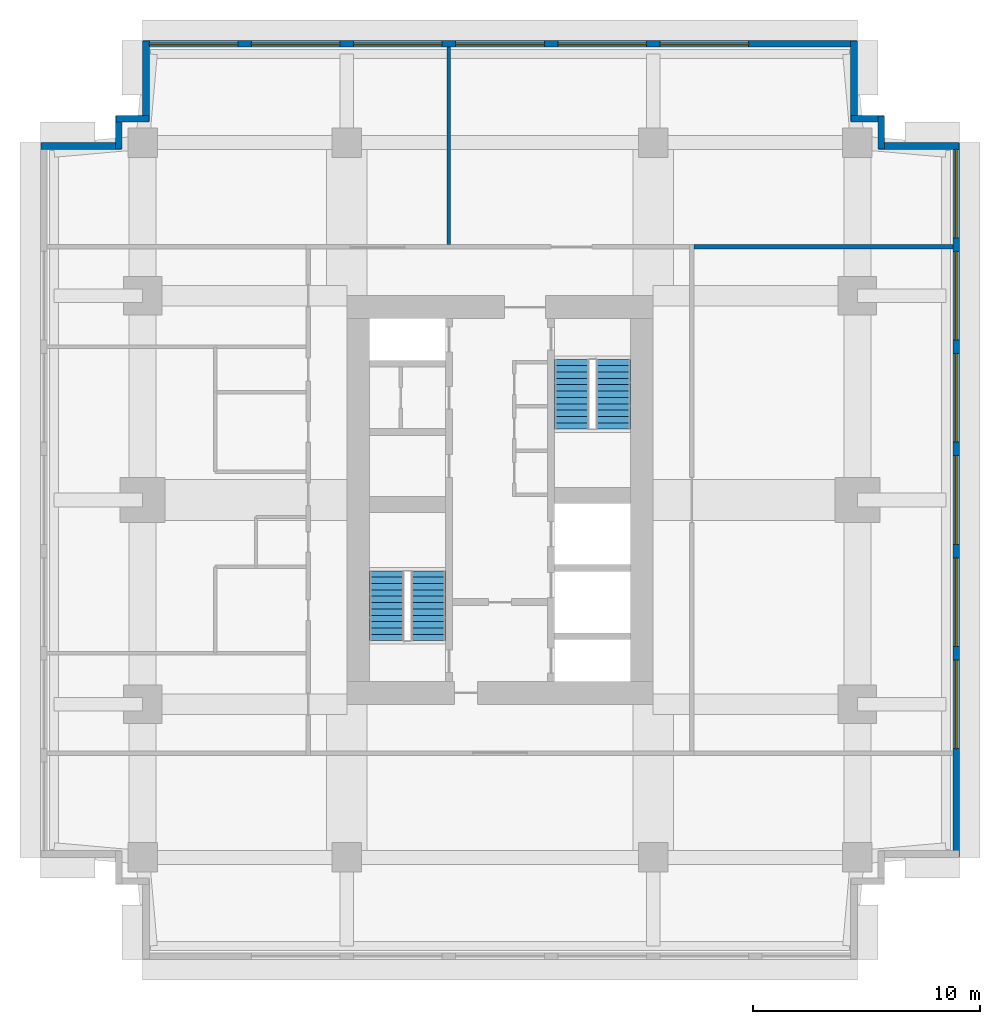
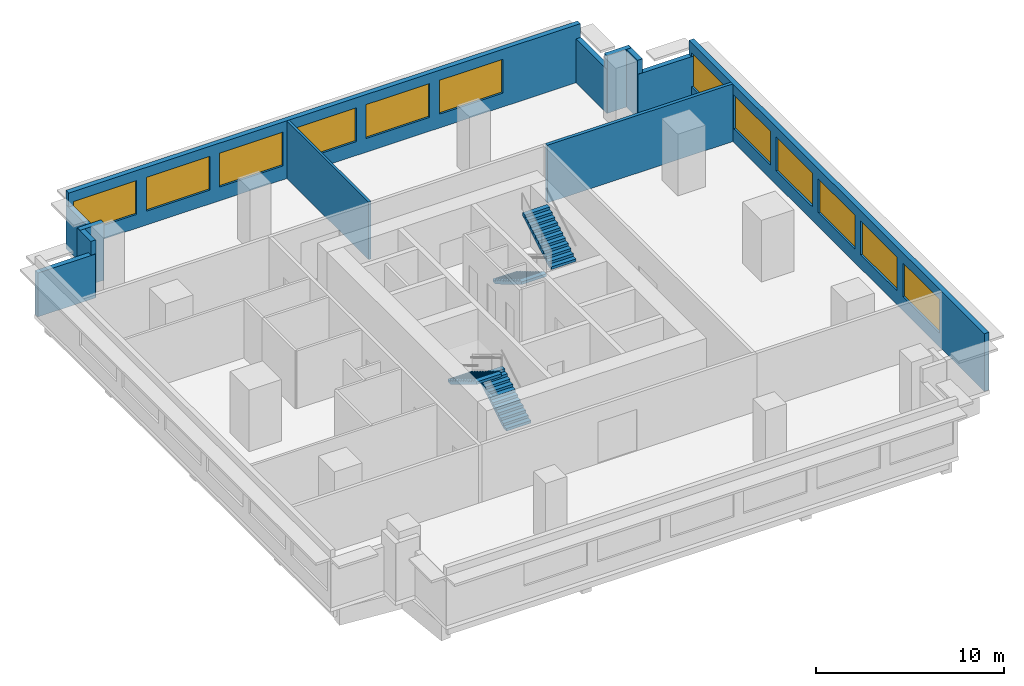
# One storey, part 4 of 5: 12 walls, 12 windows, 4 stair flights, 12 openings, 2 elements without a shape of their own.
"""IFC4 building model written with IfcOpenShell, lengths in metres."""

from ifc_helpers import new_model, si_unit, direction, frame, frame_2d, origin, place, context, subcontext, project, spatial, polyline, rectangle, outline, extrude, material, layer, layer_set, type_object, element, fill, aggregate, save


model = new_model("IFC4")

# Units and contexts
model_context = context("Model", 3, precision=1e-05, world=origin(), true_north=direction((0.0, 1.0)))
body_context = subcontext(model_context, "Body", "Model", "MODEL_VIEW")
ifc_project = project(units=[si_unit("LENGTHUNIT", "METRE"), si_unit("AREAUNIT", "SQUARE_METRE"), si_unit("VOLUMEUNIT", "CUBIC_METRE"), si_unit("PLANEANGLEUNIT", "RADIAN"), si_unit("MASSUNIT", "GRAM", prefix="KILO")], contexts=[model_context])

# Site, building, storey
site_placement = place(None, origin())
site = spatial("IfcSite", under=ifc_project, at=site_placement, CompositionType="ELEMENT")
building_placement = place(site_placement, origin())
building = spatial("IfcBuilding", under=site, at=building_placement, Name="Namib Vertical Campus", CompositionType="ELEMENT")
storey_placement = place(building_placement, frame((0.0, 0.0, 289.0)))
storey = spatial("IfcBuildingStorey", under=building, at=storey_placement, Name="L68", CompositionType="ELEMENT", Elevation=289.0)

# Wall
ifc_material_1 = material(Name="Concrete masonry", Category="masonry")
ifc_layer_1 = layer(ifc_material_1, 0.199951171875)
ifc_layer_set_1 = layer_set([ifc_layer_1], Name="Corridor wall 200")
wall_type_1 = type_object("IfcWallType", Name="Corridor wall 200", PredefinedType="SOLIDWALL", material=ifc_layer_set_1)
wall_1_placement = place(storey_placement, frame((28.800048828125, 31.39990234375, 0.0), z_axis=(0.0, 0.0, 1.0), x_axis=(1.0, 0.0, 0.0)))
element("IfcWall", 1, at=wall_1_placement, inside=storey, type_object=wall_type_1, Name="Partition A L68 BNE", PredefinedType="SOLIDWALL", context=body_context, shape_type="SweptSolid", body=[
    extrude(rectangle(XDim=11.39990234375, YDim=0.199951171875, at=frame_2d((5.699951171875, 0.0))), origin(), (0.0, 0.0, 1.0), 3.75),
])

# Wall, openings, windows
ifc_material_2 = material(Name="Concrete C40/50", Category="concrete")
ifc_layer_2 = layer(ifc_material_2, 0.300048828125)
ifc_layer_set_2 = layer_set([ifc_layer_2], Name="Concrete C40/50")
wall_type_2 = type_object("IfcWallType", Name="External wall 300 board-marked concrete", PredefinedType="STANDARD", material=ifc_layer_set_2)
wall_2_placement = place(storey_placement, frame((40.35009765625, 4.52001953125, 0.0), z_axis=(0.0, 0.0, 1.0), x_axis=(0.0, 1.0, 0.0)))
wall_2 = element("IfcWall", 2, at=wall_2_placement, inside=storey, type_object=wall_type_2, Name="External wall L68 F06", PredefinedType="STANDARD", context=body_context, shape_type="SweptSolid", body=[
    extrude(rectangle(XDim=31.4599609375, YDim=0.300048828125, at=frame_2d((15.72998046875, 0.0))), origin(), (0.0, 0.0, 1.0), 3.75),
])
opening_1_placement = place(wall_2_placement, frame((4.780029296875, 0.0, 0.89990234375)))
opening_1 = element("IfcOpeningElement", 3, at=opening_1_placement, cuts=wall_2, Name="Opening LV1", PredefinedType="OPENING", context=body_context, shape_type="SweptSolid", body=[
    extrude(rectangle(XDim=3.89990234375, YDim=2.199951171875, at=frame_2d((1.949951171875, 1.10009765625))), frame((0.0, 0.159912109375, 0.0), z_axis=(0.0, -1.0, 0.0), x_axis=(1.0, 0.0, 0.0)), (0.0, 0.0, 1.0), 0.320068359375),
])
opening_2_placement = place(wall_2_placement, frame((9.280029296875, 0.0, 0.89990234375)))
opening_2 = element("IfcOpeningElement", 4, at=opening_2_placement, cuts=wall_2, Name="Opening LV1", PredefinedType="OPENING", context=body_context, shape_type="SweptSolid", body=[
    extrude(rectangle(XDim=3.89990234375, YDim=2.199951171875, at=frame_2d((1.949951171875, 1.10009765625))), frame((0.0, 0.159912109375, 0.0), z_axis=(0.0, -1.0, 0.0), x_axis=(1.0, 0.0, 0.0)), (0.0, 0.0, 1.0), 0.320068359375),
])
opening_3_placement = place(wall_2_placement, frame((13.780029296875, 0.0, 0.89990234375)))
opening_3 = element("IfcOpeningElement", 5, at=opening_3_placement, cuts=wall_2, Name="Opening LV1", PredefinedType="OPENING", context=body_context, shape_type="SweptSolid", body=[
    extrude(rectangle(XDim=3.89990234375, YDim=2.199951171875, at=frame_2d((1.949951171875, 1.10009765625))), frame((0.0, 0.159912109375, 0.0), z_axis=(0.0, -1.0, 0.0), x_axis=(1.0, 0.0, 0.0)), (0.0, 0.0, 1.0), 0.320068359375),
])
opening_4_placement = place(wall_2_placement, frame((18.280029296875, 0.0, 0.89990234375)))
opening_4 = element("IfcOpeningElement", 6, at=opening_4_placement, cuts=wall_2, Name="Opening LV1", PredefinedType="OPENING", context=body_context, shape_type="SweptSolid", body=[
    extrude(rectangle(XDim=3.89990234375, YDim=2.199951171875, at=frame_2d((1.949951171875, 1.10009765625))), frame((0.0, 0.159912109375, 0.0), z_axis=(0.0, -1.0, 0.0), x_axis=(1.0, 0.0, 0.0)), (0.0, 0.0, 1.0), 0.320068359375),
])
opening_5_placement = place(wall_2_placement, frame((22.780029296875, 0.0, 0.89990234375)))
opening_5 = element("IfcOpeningElement", 7, at=opening_5_placement, cuts=wall_2, Name="Opening LV1", PredefinedType="OPENING", context=body_context, shape_type="SweptSolid", body=[
    extrude(rectangle(XDim=3.89990234375, YDim=2.199951171875, at=frame_2d((1.949951171875, 1.10009765625))), frame((0.0, 0.159912109375, 0.0), z_axis=(0.0, -1.0, 0.0), x_axis=(1.0, 0.0, 0.0)), (0.0, 0.0, 1.0), 0.320068359375),
])
opening_6_placement = place(wall_2_placement, frame((27.280029296875, 0.0, 0.89990234375)))
opening_6 = element("IfcOpeningElement", 8, at=opening_6_placement, cuts=wall_2, Name="Opening LV1", PredefinedType="OPENING", context=body_context, shape_type="SweptSolid", body=[
    extrude(rectangle(XDim=3.89990234375, YDim=2.199951171875, at=frame_2d((1.949951171875, 1.10009765625))), frame((0.0, 0.159912109375, 0.0), z_axis=(0.0, -1.0, 0.0), x_axis=(1.0, 0.0, 0.0)), (0.0, 0.0, 1.0), 0.320068359375),
])
ifc_material_3 = material(Name="Black aluminium louvre", Category="aluminium")
window_type = type_object("IfcWindowType", Name="Plant louvre 3900x2200", PartitioningType="SINGLE_PANEL", PredefinedType="WINDOW", material=ifc_material_3)
window_1_placement = place(opening_1_placement, origin())
window_1 = element("IfcWindow", 9, at=window_1_placement, inside=storey, type_object=window_type, Name="Plant louvre LV1 L68 F06-2", OverallHeight=2.199951171875, OverallWidth=3.89990234375, PartitioningType="SINGLE_PANEL", PredefinedType="WINDOW", context=body_context, shape_type="SweptSolid", body=[
    extrude(rectangle(XDim=3.89990234375, YDim=2.199951171875, at=frame_2d((1.949951171875, 1.10009765625))), frame((0.0, 0.030029296875, 0.0), z_axis=(0.0, -1.0, 0.0), x_axis=(1.0, 0.0, 0.0)), (0.0, 0.0, 1.0), 0.06005859375),
])
fill(opening_1, window_1)
window_2_placement = place(opening_2_placement, origin())
window_2 = element("IfcWindow", 10, at=window_2_placement, inside=storey, type_object=window_type, Name="Plant louvre LV1 L68 F06-3", OverallHeight=2.199951171875, OverallWidth=3.89990234375, PartitioningType="SINGLE_PANEL", PredefinedType="WINDOW", context=body_context, shape_type="SweptSolid", body=[
    extrude(rectangle(XDim=3.89990234375, YDim=2.199951171875, at=frame_2d((1.949951171875, 1.10009765625))), frame((0.0, 0.030029296875, 0.0), z_axis=(0.0, -1.0, 0.0), x_axis=(1.0, 0.0, 0.0)), (0.0, 0.0, 1.0), 0.06005859375),
])
fill(opening_2, window_2)
window_3_placement = place(opening_3_placement, origin())
window_3 = element("IfcWindow", 11, at=window_3_placement, inside=storey, type_object=window_type, Name="Plant louvre LV1 L68 F06-4", OverallHeight=2.199951171875, OverallWidth=3.89990234375, PartitioningType="SINGLE_PANEL", PredefinedType="WINDOW", context=body_context, shape_type="SweptSolid", body=[
    extrude(rectangle(XDim=3.89990234375, YDim=2.199951171875, at=frame_2d((1.949951171875, 1.10009765625))), frame((0.0, 0.030029296875, 0.0), z_axis=(0.0, -1.0, 0.0), x_axis=(1.0, 0.0, 0.0)), (0.0, 0.0, 1.0), 0.06005859375),
])
fill(opening_3, window_3)
window_4_placement = place(opening_4_placement, origin())
window_4 = element("IfcWindow", 12, at=window_4_placement, inside=storey, type_object=window_type, Name="Plant louvre LV1 L68 F06-5", OverallHeight=2.199951171875, OverallWidth=3.89990234375, PartitioningType="SINGLE_PANEL", PredefinedType="WINDOW", context=body_context, shape_type="SweptSolid", body=[
    extrude(rectangle(XDim=3.89990234375, YDim=2.199951171875, at=frame_2d((1.949951171875, 1.10009765625))), frame((0.0, 0.030029296875, 0.0), z_axis=(0.0, -1.0, 0.0), x_axis=(1.0, 0.0, 0.0)), (0.0, 0.0, 1.0), 0.06005859375),
])
fill(opening_4, window_4)
window_5_placement = place(opening_5_placement, origin())
window_5 = element("IfcWindow", 13, at=window_5_placement, inside=storey, type_object=window_type, Name="Plant louvre LV1 L68 F06-6", OverallHeight=2.199951171875, OverallWidth=3.89990234375, PartitioningType="SINGLE_PANEL", PredefinedType="WINDOW", context=body_context, shape_type="SweptSolid", body=[
    extrude(rectangle(XDim=3.89990234375, YDim=2.199951171875, at=frame_2d((1.949951171875, 1.10009765625))), frame((0.0, 0.030029296875, 0.0), z_axis=(0.0, -1.0, 0.0), x_axis=(1.0, 0.0, 0.0)), (0.0, 0.0, 1.0), 0.06005859375),
])
fill(opening_5, window_5)
window_6_placement = place(opening_6_placement, origin())
window_6 = element("IfcWindow", 14, at=window_6_placement, inside=storey, type_object=window_type, Name="Plant louvre LV1 L68 F06-7", OverallHeight=2.199951171875, OverallWidth=3.89990234375, PartitioningType="SINGLE_PANEL", PredefinedType="WINDOW", context=body_context, shape_type="SweptSolid", body=[
    extrude(rectangle(XDim=3.89990234375, YDim=2.199951171875, at=frame_2d((1.949951171875, 1.10009765625))), frame((0.0, 0.030029296875, 0.0), z_axis=(0.0, -1.0, 0.0), x_axis=(1.0, 0.0, 0.0)), (0.0, 0.0, 1.0), 0.06005859375),
])
fill(opening_6, window_6)

# Walls
wall_3_placement = place(storey_placement, frame((40.47998046875, 35.85009765625, 0.0), z_axis=(0.0, 0.0, 1.0), x_axis=(-1.0, 0.0, 0.0)))
element("IfcWall", 15, at=wall_3_placement, inside=storey, type_object=wall_type_2, Name="External wall L68 F07", PredefinedType="STANDARD", context=body_context, shape_type="SweptSolid", body=[
    extrude(rectangle(XDim=3.56005859375, YDim=0.300048828125, at=frame_2d((1.780029296875, 0.0))), origin(), (0.0, 0.0, 1.0), 2.85009765625),
])
for number, where, z_axis, x_axis, name in (
    (16, (37.050048828125, 35.719970703125, 0.0), (0.0, 0.0, 1.0), (0.0, 1.0, 0.0), "External wall L68 F08"),
    (17, (37.179931640625, 37.050048828125, 0.0), (0.0, 0.0, 1.0), (-1.0, 0.0, 0.0), "External wall L68 F09"),
):
    element("IfcWall", number, at=place(storey_placement, frame(where, z_axis=z_axis, x_axis=x_axis)), inside=storey, type_object=wall_type_2, Name=name, PredefinedType="STANDARD", context=body_context, shape_type="SweptSolid", body=[
        extrude(rectangle(XDim=1.4599609375, YDim=0.300048828125, at=frame_2d((0.72998046875, 0.0))), origin(), (0.0, 0.0, 1.0), 3.75),
    ])
wall_4_placement = place(storey_placement, frame((35.85009765625, 36.919921875, 0.0), z_axis=(0.0, 0.0, 1.0), x_axis=(0.0, 1.0, 0.0)))
element("IfcWall", 18, at=wall_4_placement, inside=storey, type_object=wall_type_2, Name="External wall L68 F10", PredefinedType="STANDARD", context=body_context, shape_type="SweptSolid", body=[
    extrude(rectangle(XDim=3.56005859375, YDim=0.300048828125, at=frame_2d((1.780029296875, 0.0))), origin(), (0.0, 0.0, 1.0), 2.85009765625),
])

# Wall, openings, windows
wall_5_placement = place(storey_placement, frame((35.97998046875, 40.35009765625, 0.0), z_axis=(0.0, 0.0, 1.0), x_axis=(-1.0, 0.0, 0.0)))
wall_5 = element("IfcWall", 19, at=wall_5_placement, inside=storey, type_object=wall_type_2, Name="External wall L68 F11", PredefinedType="STANDARD", context=body_context, shape_type="SweptSolid", body=[
    extrude(rectangle(XDim=31.4599609375, YDim=0.300048828125, at=frame_2d((15.72998046875, 0.0))), origin(), (0.0, 0.0, 1.0), 3.75),
])
opening_7_placement = place(wall_5_placement, frame((27.280029296875, 0.0, 0.89990234375)))
opening_7 = element("IfcOpeningElement", 20, at=opening_7_placement, cuts=wall_5, Name="Opening LV1", PredefinedType="OPENING", context=body_context, shape_type="SweptSolid", body=[
    extrude(rectangle(XDim=3.89990234375, YDim=2.199951171875, at=frame_2d((1.949951171875, 1.10009765625))), frame((0.0, 0.159912109375, 0.0), z_axis=(0.0, -1.0, 0.0), x_axis=(1.0, 0.0, 0.0)), (0.0, 0.0, 1.0), 0.320068359375),
])
opening_8_placement = place(wall_5_placement, frame((22.780029296875, 0.0, 0.89990234375)))
opening_8 = element("IfcOpeningElement", 21, at=opening_8_placement, cuts=wall_5, Name="Opening LV1", PredefinedType="OPENING", context=body_context, shape_type="SweptSolid", body=[
    extrude(rectangle(XDim=3.89990234375, YDim=2.199951171875, at=frame_2d((1.949951171875, 1.10009765625))), frame((0.0, 0.159912109375, 0.0), z_axis=(0.0, -1.0, 0.0), x_axis=(1.0, 0.0, 0.0)), (0.0, 0.0, 1.0), 0.320068359375),
])
opening_9_placement = place(wall_5_placement, frame((18.280029296875, 0.0, 0.89990234375)))
opening_9 = element("IfcOpeningElement", 22, at=opening_9_placement, cuts=wall_5, Name="Opening LV1", PredefinedType="OPENING", context=body_context, shape_type="SweptSolid", body=[
    extrude(rectangle(XDim=3.89990234375, YDim=2.199951171875, at=frame_2d((1.949951171875, 1.10009765625))), frame((0.0, 0.159912109375, 0.0), z_axis=(0.0, -1.0, 0.0), x_axis=(1.0, 0.0, 0.0)), (0.0, 0.0, 1.0), 0.320068359375),
])
opening_10_placement = place(wall_5_placement, frame((13.780029296875, 0.0, 0.89990234375)))
opening_10 = element("IfcOpeningElement", 23, at=opening_10_placement, cuts=wall_5, Name="Opening LV1", PredefinedType="OPENING", context=body_context, shape_type="SweptSolid", body=[
    extrude(rectangle(XDim=3.89990234375, YDim=2.199951171875, at=frame_2d((1.949951171875, 1.10009765625))), frame((0.0, 0.159912109375, 0.0), z_axis=(0.0, -1.0, 0.0), x_axis=(1.0, 0.0, 0.0)), (0.0, 0.0, 1.0), 0.320068359375),
])
opening_11_placement = place(wall_5_placement, frame((9.280029296875, 0.0, 0.89990234375)))
opening_11 = element("IfcOpeningElement", 24, at=opening_11_placement, cuts=wall_5, Name="Opening LV1", PredefinedType="OPENING", context=body_context, shape_type="SweptSolid", body=[
    extrude(rectangle(XDim=3.89990234375, YDim=2.199951171875, at=frame_2d((1.949951171875, 1.10009765625))), frame((0.0, 0.159912109375, 0.0), z_axis=(0.0, -1.0, 0.0), x_axis=(1.0, 0.0, 0.0)), (0.0, 0.0, 1.0), 0.320068359375),
])
opening_12_placement = place(wall_5_placement, frame((4.780029296875, 0.0, 0.89990234375)))
opening_12 = element("IfcOpeningElement", 25, at=opening_12_placement, cuts=wall_5, Name="Opening LV1", PredefinedType="OPENING", context=body_context, shape_type="SweptSolid", body=[
    extrude(rectangle(XDim=3.89990234375, YDim=2.199951171875, at=frame_2d((1.949951171875, 1.10009765625))), frame((0.0, 0.159912109375, 0.0), z_axis=(0.0, -1.0, 0.0), x_axis=(1.0, 0.0, 0.0)), (0.0, 0.0, 1.0), 0.320068359375),
])
window_7_placement = place(opening_7_placement, origin())
window_7 = element("IfcWindow", 26, at=window_7_placement, inside=storey, type_object=window_type, Name="Plant louvre LV1 L68 F11-1", OverallHeight=2.199951171875, OverallWidth=3.89990234375, PartitioningType="SINGLE_PANEL", PredefinedType="WINDOW", context=body_context, shape_type="SweptSolid", body=[
    extrude(rectangle(XDim=3.89990234375, YDim=2.199951171875, at=frame_2d((1.949951171875, 1.10009765625))), frame((0.0, 0.030029296875, 0.0), z_axis=(0.0, -1.0, 0.0), x_axis=(1.0, 0.0, 0.0)), (0.0, 0.0, 1.0), 0.06005859375),
])
fill(opening_7, window_7)
window_8_placement = place(opening_8_placement, origin())
window_8 = element("IfcWindow", 27, at=window_8_placement, inside=storey, type_object=window_type, Name="Plant louvre LV1 L68 F11-2", OverallHeight=2.199951171875, OverallWidth=3.89990234375, PartitioningType="SINGLE_PANEL", PredefinedType="WINDOW", context=body_context, shape_type="SweptSolid", body=[
    extrude(rectangle(XDim=3.89990234375, YDim=2.199951171875, at=frame_2d((1.949951171875, 1.10009765625))), frame((0.0, 0.030029296875, 0.0), z_axis=(0.0, -1.0, 0.0), x_axis=(1.0, 0.0, 0.0)), (0.0, 0.0, 1.0), 0.06005859375),
])
fill(opening_8, window_8)
window_9_placement = place(opening_9_placement, origin())
window_9 = element("IfcWindow", 28, at=window_9_placement, inside=storey, type_object=window_type, Name="Plant louvre LV1 L68 F11-3", OverallHeight=2.199951171875, OverallWidth=3.89990234375, PartitioningType="SINGLE_PANEL", PredefinedType="WINDOW", context=body_context, shape_type="SweptSolid", body=[
    extrude(rectangle(XDim=3.89990234375, YDim=2.199951171875, at=frame_2d((1.949951171875, 1.10009765625))), frame((0.0, 0.030029296875, 0.0), z_axis=(0.0, -1.0, 0.0), x_axis=(1.0, 0.0, 0.0)), (0.0, 0.0, 1.0), 0.06005859375),
])
fill(opening_9, window_9)
window_10_placement = place(opening_10_placement, origin())
window_10 = element("IfcWindow", 29, at=window_10_placement, inside=storey, type_object=window_type, Name="Plant louvre LV1 L68 F11-4", OverallHeight=2.199951171875, OverallWidth=3.89990234375, PartitioningType="SINGLE_PANEL", PredefinedType="WINDOW", context=body_context, shape_type="SweptSolid", body=[
    extrude(rectangle(XDim=3.89990234375, YDim=2.199951171875, at=frame_2d((1.949951171875, 1.10009765625))), frame((0.0, 0.030029296875, 0.0), z_axis=(0.0, -1.0, 0.0), x_axis=(1.0, 0.0, 0.0)), (0.0, 0.0, 1.0), 0.06005859375),
])
fill(opening_10, window_10)
window_11_placement = place(opening_11_placement, origin())
window_11 = element("IfcWindow", 30, at=window_11_placement, inside=storey, type_object=window_type, Name="Plant louvre LV1 L68 F11-5", OverallHeight=2.199951171875, OverallWidth=3.89990234375, PartitioningType="SINGLE_PANEL", PredefinedType="WINDOW", context=body_context, shape_type="SweptSolid", body=[
    extrude(rectangle(XDim=3.89990234375, YDim=2.199951171875, at=frame_2d((1.949951171875, 1.10009765625))), frame((0.0, 0.030029296875, 0.0), z_axis=(0.0, -1.0, 0.0), x_axis=(1.0, 0.0, 0.0)), (0.0, 0.0, 1.0), 0.06005859375),
])
fill(opening_11, window_11)
window_12_placement = place(opening_12_placement, origin())
window_12 = element("IfcWindow", 31, at=window_12_placement, inside=storey, type_object=window_type, Name="Plant louvre LV1 L68 F11-6", OverallHeight=2.199951171875, OverallWidth=3.89990234375, PartitioningType="SINGLE_PANEL", PredefinedType="WINDOW", context=body_context, shape_type="SweptSolid", body=[
    extrude(rectangle(XDim=3.89990234375, YDim=2.199951171875, at=frame_2d((1.949951171875, 1.10009765625))), frame((0.0, 0.030029296875, 0.0), z_axis=(0.0, -1.0, 0.0), x_axis=(1.0, 0.0, 0.0)), (0.0, 0.0, 1.0), 0.06005859375),
])
fill(opening_12, window_12)

# Walls
wall_6_placement = place(storey_placement, frame((4.64990234375, 40.47998046875, 0.0), z_axis=(0.0, 0.0, 1.0), x_axis=(0.0, -1.0, 0.0)))
element("IfcWall", 32, at=wall_6_placement, inside=storey, type_object=wall_type_2, Name="External wall L68 F12", PredefinedType="STANDARD", context=body_context, shape_type="SweptSolid", body=[
    extrude(rectangle(XDim=3.56005859375, YDim=0.300048828125, at=frame_2d((1.780029296875, 0.0))), origin(), (0.0, 0.0, 1.0), 2.85009765625),
])
for number, where, z_axis, x_axis, name in (
    (33, (4.780029296875, 37.050048828125, 0.0), (0.0, 0.0, 1.0), (-1.0, 0.0, 0.0), "External wall L68 F13"),
    (34, (3.449951171875, 37.179931640625, 0.0), (0.0, 0.0, 1.0), (0.0, -1.0, 0.0), "External wall L68 F14"),
):
    element("IfcWall", number, at=place(storey_placement, frame(where, z_axis=z_axis, x_axis=x_axis)), inside=storey, type_object=wall_type_2, Name=name, PredefinedType="STANDARD", context=body_context, shape_type="SweptSolid", body=[
        extrude(rectangle(XDim=1.4599609375, YDim=0.300048828125, at=frame_2d((0.72998046875, 0.0))), origin(), (0.0, 0.0, 1.0), 3.75),
    ])
wall_7_placement = place(storey_placement, frame((3.580078125, 35.85009765625, 0.0), z_axis=(0.0, 0.0, 1.0), x_axis=(-1.0, 0.0, 0.0)))
element("IfcWall", 35, at=wall_7_placement, inside=storey, type_object=wall_type_2, Name="External wall L68 F15", PredefinedType="STANDARD", context=body_context, shape_type="SweptSolid", body=[
    extrude(rectangle(XDim=3.56005859375, YDim=0.300048828125, at=frame_2d((1.780029296875, 0.0))), origin(), (0.0, 0.0, 1.0), 2.85009765625),
])
ifc_material_4 = material(Name="Gypsum board on steel studs", Category="steel")
ifc_layer_3 = layer(ifc_material_4, 0.14990234375)
ifc_layer_set_3 = layer_set([ifc_layer_3], Name="Gypsum board on steel studs")
wall_type_3 = type_object("IfcWallType", Name="Partition 150", PredefinedType="PARTITIONING", material=ifc_layer_set_3)
wall_8_placement = place(storey_placement, frame((18.0, 31.5, 0.0), z_axis=(0.0, 0.0, 1.0), x_axis=(0.0, 1.0, 0.0)))
element("IfcWall", 36, at=wall_8_placement, inside=storey, type_object=wall_type_3, Name="Partition A L68 PN1", PredefinedType="PARTITIONING", context=body_context, shape_type="SweptSolid", body=[
    extrude(rectangle(XDim=8.699951171875, YDim=0.14990234375, at=frame_2d((4.35009765625, 0.0))), origin(), (0.0, 0.0, 1.0), 3.75),
])

# Stair, stair flights
ifc_material_5 = material(Name="Concrete C40/50 precast", Category="concrete")
stair_type = type_object("IfcStairType", Name="Exit stair 4000 rise 24 risers 3350 wide", PredefinedType="HALF_TURN_STAIR", material=ifc_material_5)
stair_1_placement = place(storey_placement, origin())
stair_1 = element("IfcStair", 37, at=stair_1_placement, inside=storey, type_object=stair_type, Name="Exit stair A-S1 L68", PredefinedType="HALF_TURN_STAIR")
ifc_material_6 = material(Name="Concrete C40/50 precast", Category="concrete")
stair_flight_type = type_object("IfcStairFlightType", Name="Stair flight 12 risers 167 1525 wide", PredefinedType="STRAIGHT", material=ifc_material_6)
stair_flight_1_placement = place(storey_placement, frame((17.08740234375, 14.050048828125, 0.0), z_axis=(0.0, 0.0, 1.0), x_axis=(0.0, 1.0, 0.0)))
stair_flight_1 = element("IfcStairFlight", 38, at=stair_flight_1_placement, type_object=stair_flight_type, Name="A-S1 flight 1", NumberOfRisers=12, NumberOfTreads=11, PredefinedType="STRAIGHT", RiserHeight=0.166666667, TreadLength=0.28, context=body_context, shape_type="SweptSolid", body=[
    extrude(outline(polyline([(0.0, 0.0), (0.0, 0.166748046875), (0.280029296875, 0.166748046875), (0.280029296875, 0.333251953125), (0.56005859375, 0.333251953125), (0.56005859375, 0.5), (0.840087890625, 0.5), (0.840087890625, 0.666748046875), (1.1201171875, 0.666748046875), (1.1201171875, 0.833251953125), (1.39990234375, 0.833251953125), (1.39990234375, 1.0), (1.679931640625, 1.0), (1.679931640625, 1.166748046875), (1.9599609375, 1.166748046875), (1.9599609375, 1.333251953125), (2.239990234375, 1.333251953125), (2.239990234375, 1.5), (2.52001953125, 1.5), (2.52001953125, 1.666748046875), (2.800048828125, 1.666748046875), (2.800048828125, 1.833251953125), (3.080078125, 1.833251953125), (3.080078125, 2.0), (3.080078125, 1.658935546875), (0.29296875, 0.0), (0.0, 0.0)])), frame((0.0, 0.762451171875, 0.0), z_axis=(0.0, -1.0, 0.0), x_axis=(1.0, 0.0, 0.0)), (0.0, 0.0, 1.0), 1.52490234375),
])
stair_flight_2_placement = place(storey_placement, frame((15.262451171875, 17.1298828125, 2.0), z_axis=(0.0, 0.0, 1.0), x_axis=(0.0, -1.0, 0.0)))
stair_flight_2 = element("IfcStairFlight", 39, at=stair_flight_2_placement, type_object=stair_flight_type, Name="A-S1 flight 2", NumberOfRisers=12, NumberOfTreads=11, PredefinedType="STRAIGHT", RiserHeight=0.166666667, TreadLength=0.28, context=body_context, shape_type="SweptSolid", body=[
    extrude(outline(polyline([(0.0, 0.0), (0.0, 0.166748046875), (0.280029296875, 0.166748046875), (0.280029296875, 0.333251953125), (0.56005859375, 0.333251953125), (0.56005859375, 0.5), (0.840087890625, 0.5), (0.840087890625, 0.666748046875), (1.1201171875, 0.666748046875), (1.1201171875, 0.833251953125), (1.39990234375, 0.833251953125), (1.39990234375, 1.0), (1.679931640625, 1.0), (1.679931640625, 1.166748046875), (1.9599609375, 1.166748046875), (1.9599609375, 1.333251953125), (2.239990234375, 1.333251953125), (2.239990234375, 1.5), (2.52001953125, 1.5), (2.52001953125, 1.666748046875), (2.800048828125, 1.666748046875), (2.800048828125, 1.833251953125), (3.080078125, 1.833251953125), (3.080078125, 2.0), (3.080078125, 1.658935546875), (0.29296875, 0.0), (0.0, 0.0)])), frame((0.0, 0.762451171875, 0.0), z_axis=(0.0, -1.0, 0.0), x_axis=(1.0, 0.0, 0.0)), (0.0, 0.0, 1.0), 1.52490234375),
])
aggregate(stair_1, [stair_flight_1, stair_flight_2])

stair_2_placement = place(storey_placement, origin())
stair_2 = element("IfcStair", 40, at=stair_2_placement, inside=storey, type_object=stair_type, Name="Exit stair A-S2 L68", PredefinedType="HALF_TURN_STAIR")
stair_flight_3_placement = place(storey_placement, frame((23.41259765625, 26.449951171875, 0.0), z_axis=(0.0, 0.0, 1.0), x_axis=(0.0, -1.0, 0.0)))
stair_flight_3 = element("IfcStairFlight", 41, at=stair_flight_3_placement, type_object=stair_flight_type, Name="A-S2 flight 1", NumberOfRisers=12, NumberOfTreads=11, PredefinedType="STRAIGHT", RiserHeight=0.166666667, TreadLength=0.28, context=body_context, shape_type="SweptSolid", body=[
    extrude(outline(polyline([(0.0, 0.0), (0.0, 0.166748046875), (0.280029296875, 0.166748046875), (0.280029296875, 0.333251953125), (0.56005859375, 0.333251953125), (0.56005859375, 0.5), (0.840087890625, 0.5), (0.840087890625, 0.666748046875), (1.1201171875, 0.666748046875), (1.1201171875, 0.833251953125), (1.39990234375, 0.833251953125), (1.39990234375, 1.0), (1.679931640625, 1.0), (1.679931640625, 1.166748046875), (1.9599609375, 1.166748046875), (1.9599609375, 1.333251953125), (2.239990234375, 1.333251953125), (2.239990234375, 1.5), (2.52001953125, 1.5), (2.52001953125, 1.666748046875), (2.800048828125, 1.666748046875), (2.800048828125, 1.833251953125), (3.080078125, 1.833251953125), (3.080078125, 2.0), (3.080078125, 1.658935546875), (0.29296875, 0.0), (0.0, 0.0)])), frame((0.0, 0.762451171875, 0.0), z_axis=(0.0, -1.0, 0.0), x_axis=(1.0, 0.0, 0.0)), (0.0, 0.0, 1.0), 1.52490234375),
])
stair_flight_4_placement = place(storey_placement, frame((25.237548828125, 23.3701171875, 2.0), z_axis=(0.0, 0.0, 1.0), x_axis=(0.0, 1.0, 0.0)))
stair_flight_4 = element("IfcStairFlight", 42, at=stair_flight_4_placement, type_object=stair_flight_type, Name="A-S2 flight 2", NumberOfRisers=12, NumberOfTreads=11, PredefinedType="STRAIGHT", RiserHeight=0.166666667, TreadLength=0.28, context=body_context, shape_type="SweptSolid", body=[
    extrude(outline(polyline([(0.0, 0.0), (0.0, 0.166748046875), (0.280029296875, 0.166748046875), (0.280029296875, 0.333251953125), (0.56005859375, 0.333251953125), (0.56005859375, 0.5), (0.840087890625, 0.5), (0.840087890625, 0.666748046875), (1.1201171875, 0.666748046875), (1.1201171875, 0.833251953125), (1.39990234375, 0.833251953125), (1.39990234375, 1.0), (1.679931640625, 1.0), (1.679931640625, 1.166748046875), (1.9599609375, 1.166748046875), (1.9599609375, 1.333251953125), (2.239990234375, 1.333251953125), (2.239990234375, 1.5), (2.52001953125, 1.5), (2.52001953125, 1.666748046875), (2.800048828125, 1.666748046875), (2.800048828125, 1.833251953125), (3.080078125, 1.833251953125), (3.080078125, 2.0), (3.080078125, 1.658935546875), (0.29296875, 0.0), (0.0, 0.0)])), frame((0.0, 0.762451171875, 0.0), z_axis=(0.0, -1.0, 0.0), x_axis=(1.0, 0.0, 0.0)), (0.0, 0.0, 1.0), 1.52490234375),
])
aggregate(stair_2, [stair_flight_3, stair_flight_4])

save(model, "model.ifc")
